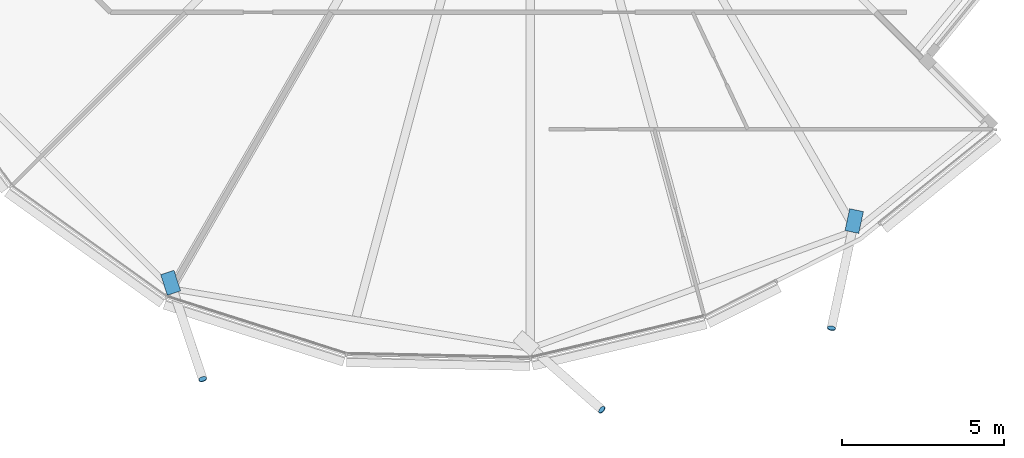
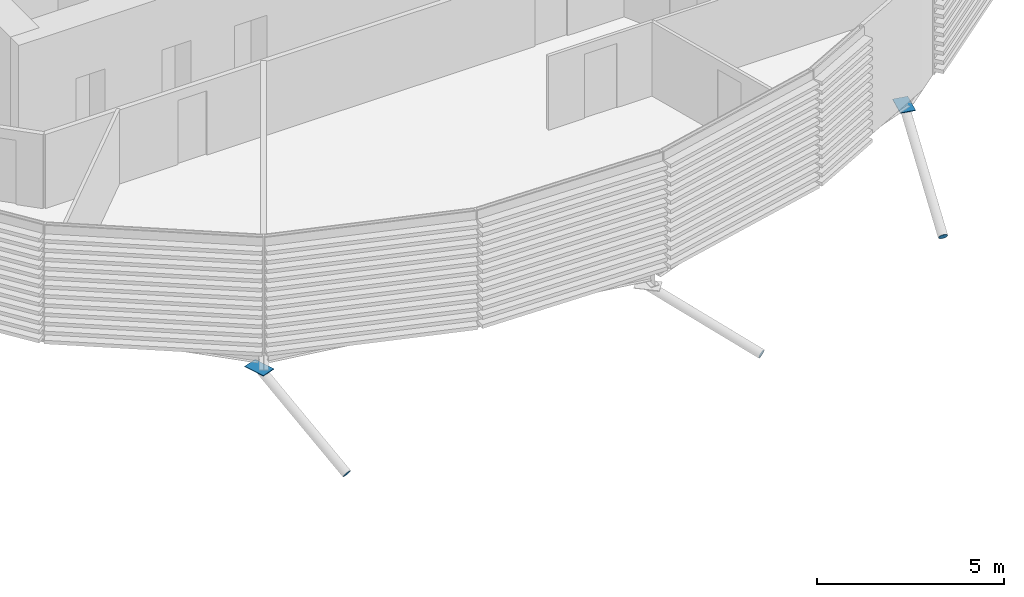
# One storey, part 31 of 38: 5 discrete accessories.
"""IFC4 building model written with IfcOpenShell, lengths in metres."""

from ifc_helpers import new_model, si_unit, direction, frame, origin, origin_2d, place, context, subcontext, project, spatial, polyline, rectangle, circle, outline, extrude, material, material_profile, profile_set, type_object, element, save


model = new_model("IFC4")

# Units and contexts
model_context = context("Model", 3, precision=1e-05, world=origin(), true_north=direction((0.0, 1.0)))
body_context = subcontext(model_context, "Body", "Model", "MODEL_VIEW")
ifc_project = project(units=[si_unit("LENGTHUNIT", "METRE"), si_unit("AREAUNIT", "SQUARE_METRE"), si_unit("VOLUMEUNIT", "CUBIC_METRE"), si_unit("PLANEANGLEUNIT", "RADIAN"), si_unit("MASSUNIT", "GRAM", prefix="KILO")], contexts=[model_context])

# Site, building, storey
site_placement = place(None, origin())
site = spatial("IfcSite", under=ifc_project, at=site_placement, CompositionType="ELEMENT")
building_placement = place(site_placement, origin())
building = spatial("IfcBuilding", under=site, at=building_placement, Name="Rimbun Link Towers", CompositionType="ELEMENT")
storey_placement = place(building_placement, frame((0.0, 0.0, 49.0)))
storey = spatial("IfcBuildingStorey", under=building, at=storey_placement, Name="L11", CompositionType="ELEMENT", Elevation=49.0)

# Discrete accessories
ifc_material_1 = material(Name="Steel S355J2H", Category="steel")
ifc_material_profile_1 = material_profile(ifc_material_1, circle(Radius=0.1240234375, at=origin_2d()), Name="PL D248")
ifc_profile_set_1 = profile_set([ifc_material_profile_1], Name="Steel S355J2H")
discrete_accessory_type_1 = type_object("IfcDiscreteAccessoryType", Name="Link foot sealing plate D248X20", PredefinedType="BRACKET", material=ifc_profile_set_1)
discrete_accessory_1_placement = place(storey_placement, frame((21.66455078125, -21.910888671875, -2.851806640625), z_axis=(0.269882788147, -0.797380964979, -0.539765576293), x_axis=(0.947215969573, 0.320596174317, 0.0)))
element("IfcDiscreteAccessory", 1, at=discrete_accessory_1_placement, inside=storey, type_object=discrete_accessory_type_1, Name="Link foot sealing plate T2 L11 13", PredefinedType="BRACKET", context=body_context, shape_type="SweptSolid", body=[
    extrude(circle(Radius=0.1240234375, at=origin_2d()), origin(), (0.0, 0.0, 1.0), 0.02001953125),
])
discrete_accessory_2_placement = place(storey_placement, frame((33.94677734375, -22.854248046875, -2.669677734375), z_axis=(0.652088565631, -0.565963660736, -0.504445871526), x_axis=(0.655472859889, 0.755218729872, 0.0)))
element("IfcDiscreteAccessory", 2, at=discrete_accessory_2_placement, inside=storey, type_object=discrete_accessory_type_1, Name="Link foot sealing plate T2 L11 15", PredefinedType="BRACKET", context=body_context, shape_type="SweptSolid", body=[
    extrude(circle(Radius=0.1240234375, at=origin_2d()), origin(), (0.0, 0.0, 1.0), 0.019775390625),
])
discrete_accessory_3_placement = place(storey_placement, frame((41.0185546875, -20.342041015625, -2.8203125), z_axis=(-0.169700086348, -0.836378997001, -0.521221693783), x_axis=(0.980030589124, -0.198846786199, 0.0)))
element("IfcDiscreteAccessory", 3, at=discrete_accessory_3_placement, inside=storey, type_object=discrete_accessory_type_1, Name="Link foot sealing plate T2 L11 17", PredefinedType="BRACKET", context=body_context, shape_type="SweptSolid", body=[
    extrude(circle(Radius=0.1240234375, at=origin_2d()), origin(), (0.0, 0.0, 1.0), 0.02001953125),
])
ifc_material_2 = material(Name="Steel S355J2H", Category="steel")
ifc_material_profile_2 = material_profile(ifc_material_2, rectangle(XDim=0.43310546875, YDim=0.43310546875, at=origin_2d()), Name="PL 433x433")
ifc_profile_set_2 = profile_set([ifc_material_profile_2], Name="Steel S355J2H")
discrete_accessory_type_2 = type_object("IfcDiscreteAccessoryType", Name="Link head end plate 433X20", PredefinedType="BRACKET", material=ifc_profile_set_2)
discrete_accessory_4_placement = place(storey_placement, frame((0.0, 0.0, -0.863525390625)))
element("IfcDiscreteAccessory", 4, at=discrete_accessory_4_placement, inside=storey, type_object=discrete_accessory_type_2, Name="Link head end plate T2 L11 13", PredefinedType="BRACKET", context=body_context, shape_type="SweptSolid", body=[
    extrude(outline(polyline([(20.368896484375, -18.7021484375), (20.57958984375, -19.3359375), (20.990478515625, -19.19921875), (20.77978515625, -18.5654296875), (20.368896484375, -18.7021484375)])), origin(), (0.0, 0.0, 1.0), 0.02001953125),
])
discrete_accessory_5_placement = place(storey_placement, frame((0.0, 0.0, -0.78271484375)))
element("IfcDiscreteAccessory", 5, at=discrete_accessory_5_placement, inside=storey, type_object=discrete_accessory_type_2, Name="Link head end plate T2 L11 17", PredefinedType="BRACKET", context=body_context, shape_type="SweptSolid", body=[
    extrude(outline(polyline([(41.578369140625, -16.670654296875), (41.435302734375, -17.342529296875), (41.85888671875, -17.4326171875), (42.001953125, -16.7607421875), (41.578369140625, -16.670654296875)])), origin(), (0.0, 0.0, 1.0), 0.02001953125),
])

save(model, "model.ifc")
